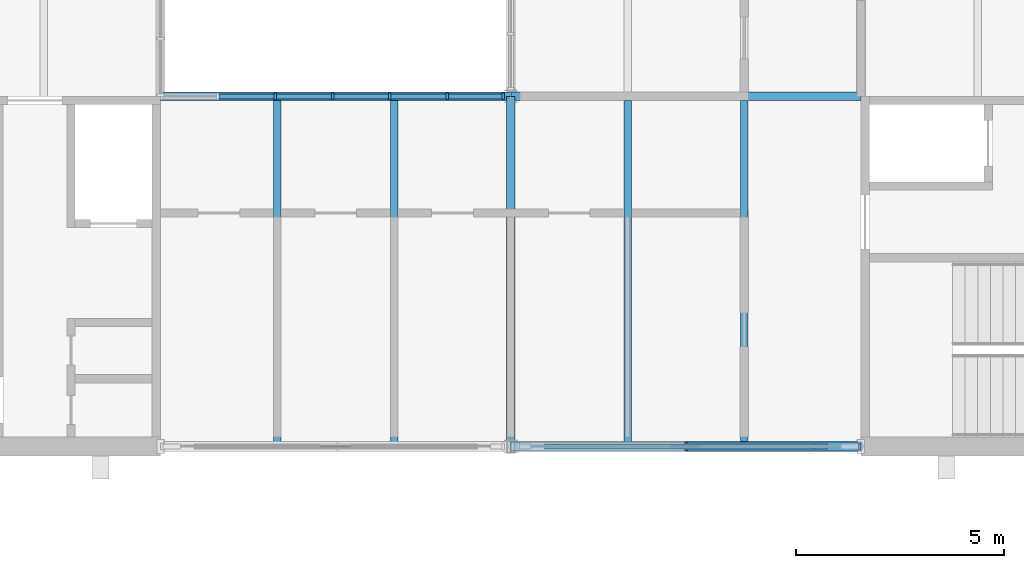
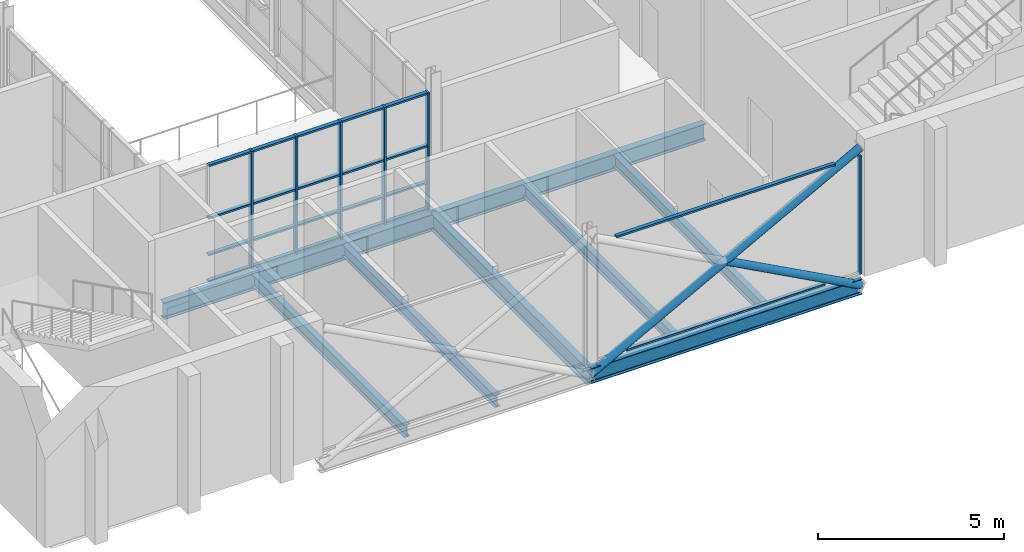
# One storey, part 29 of 129: 30 members, 8 beams, 2 elements without a shape of their own.
"""IFC4 building model written with IfcOpenShell, lengths in metres."""

from ifc_helpers import new_model, si_unit, direction, frame, origin, origin_2d, place, context, subcontext, project, spatial, rectangle, hollow_circle, i_section, extrude, material, layer, layer_set, material_profile, profile_set, type_object, element, aggregate, save


model = new_model("IFC4")

# Units and contexts
model_context = context("Model", 3, precision=1e-05, world=origin(), true_north=direction((0.0, 1.0)))
body_context = subcontext(model_context, "Body", "Model", "MODEL_VIEW")
ifc_project = project(units=[si_unit("LENGTHUNIT", "METRE"), si_unit("AREAUNIT", "SQUARE_METRE"), si_unit("VOLUMEUNIT", "CUBIC_METRE"), si_unit("PLANEANGLEUNIT", "RADIAN"), si_unit("MASSUNIT", "GRAM", prefix="KILO")], contexts=[model_context])

# Site, building, storey
site_placement = place(None, origin())
site = spatial("IfcSite", under=ifc_project, at=site_placement, CompositionType="ELEMENT")
building_placement = place(site_placement, origin())
building = spatial("IfcBuilding", under=site, at=building_placement, Name="Ardhachandra Cancer Care Centre", CompositionType="ELEMENT")
storey_placement = place(building_placement, frame((0.0, 0.0, 4.5)))
storey = spatial("IfcBuildingStorey", under=building, at=storey_placement, Name="L01", CompositionType="ELEMENT", Elevation=4.5)

# Beams
ifc_material_1 = material(Name="Steel E350 (IS 2062)", Category="steel")
ifc_material_profile_1 = material_profile(ifc_material_1, i_section(OverallWidth=0.179931640625, OverallDepth=0.39990234375, WebThickness=0.008544921875, FlangeThickness=0.013427734375, FilletRadius=0.02099609375, at=origin_2d()), Name="NPB 400x180x66.30")
ifc_profile_set_1 = profile_set([ifc_material_profile_1], Name="Steel E350 (IS 2062)")
beam_type_1 = type_object("IfcBeamType", Name="Beam NPB 400x180x66.30", PredefinedType="BEAM", material=ifc_profile_set_1)
for number, where, z_axis, x_axis, name in (
    (1, (122.800048828125, 29.5, -0.35009765625), (0.0, 1.0, 0.0), (-1.0, 0.0, 0.0), "Secondary C14-D14@2800"),
    (2, (125.60009765625, 29.5, -0.35009765625), (0.0, 1.0, 0.0), (-1.0, 0.0, 0.0), "Secondary C14-D14@5600"),
    (3, (131.199951171875, 29.5, -0.35009765625), (0.0, 1.0, 0.0), (-1.0, 0.0, 0.0), "Secondary C15-D15@2800"),
    (4, (134.0, 29.5, -0.35009765625), (0.0, 1.0, 0.0), (-1.0, 0.0, 0.0), "Secondary C15-D15@5600"),
):
    element("IfcBeam", number, at=place(storey_placement, frame(where, z_axis=z_axis, x_axis=x_axis)), inside=storey, type_object=beam_type_1, Name=name, PredefinedType="BEAM", context=body_context, shape_type="SweptSolid", body=[
        extrude(i_section(OverallWidth=0.179931640625, OverallDepth=0.39990234375, WebThickness=0.008544921875, FlangeThickness=0.013427734375, FilletRadius=0.02099609375, at=origin_2d()), origin(), (0.0, 0.0, 1.0), 8.195068359375),
    ])
ifc_material_2 = material(Name="Steel E350 (IS 2062)", Category="steel")
ifc_material_profile_2 = material_profile(ifc_material_2, i_section(OverallWidth=0.199951171875, OverallDepth=0.5, WebThickness=0.01025390625, FlangeThickness=0.01611328125, FilletRadius=0.02099609375, at=origin_2d()), Name="NPB 500x200x90.68")
ifc_profile_set_2 = profile_set([ifc_material_profile_2], Name="Steel E350 (IS 2062)")
beam_type_2 = type_object("IfcBeamType", Name="Beam NPB 500x200x90.68", PredefinedType="BEAM", material=ifc_profile_set_2)
beam_1_placement = place(storey_placement, frame((128.39990234375, 29.39990234375, -0.39990234375), z_axis=(1.0, 0.0, 0.0), x_axis=(0.0, 1.0, 0.0)))
element("IfcBeam", 5, at=beam_1_placement, inside=storey, type_object=beam_type_2, Name="Edge girder C15-C16", PredefinedType="BEAM", context=body_context, shape_type="SweptSolid", body=[
    extrude(i_section(OverallWidth=0.199951171875, OverallDepth=0.5, WebThickness=0.01025390625, FlangeThickness=0.01611328125, FilletRadius=0.02099609375, at=origin_2d()), origin(), (0.0, 0.0, 1.0), 8.400146484375),
])
ifc_material_3 = material(Name="Steel E350 (IS 2062)", Category="steel")
ifc_material_profile_3 = material_profile(ifc_material_3, i_section(OverallWidth=0.2099609375, OverallDepth=0.550048828125, WebThickness=0.010986328125, FlangeThickness=0.01708984375, FilletRadius=0.02392578125, at=origin_2d()), Name="NPB 550x210x105.52")
ifc_profile_set_3 = profile_set([ifc_material_profile_3], Name="Steel E350 (IS 2062)")
beam_type_3 = type_object("IfcBeamType", Name="Beam NPB 550x210x105.52", PredefinedType="BEAM", material=ifc_profile_set_3)
beam_2_placement = place(storey_placement, frame((120.0, 37.800048828125, -0.425048828125), z_axis=(1.0, 0.0, 0.0), x_axis=(0.0, 1.0, 0.0)))
element("IfcBeam", 6, at=beam_2_placement, inside=storey, type_object=beam_type_3, Name="Girder D14-D15", PredefinedType="BEAM", context=body_context, shape_type="SweptSolid", body=[
    extrude(i_section(OverallWidth=0.2099609375, OverallDepth=0.550048828125, WebThickness=0.010986328125, FlangeThickness=0.01708984375, FilletRadius=0.02392578125, at=origin_2d()), origin(), (0.0, 0.0, 1.0), 8.39990234375),
])
for number, where, z_axis, x_axis, name in (
    (7, (128.39990234375, 37.800048828125, -0.425048828125), (1.0, 0.0, 0.0), (0.0, 1.0, 0.0), "Girder D15-D16"),
    (8, (128.39990234375, 29.39990234375, -0.425048828125), (0.0, 1.0, 0.0), (-1.0, 0.0, 0.0), "Girder C15-D15"),
):
    element("IfcBeam", number, at=place(storey_placement, frame(where, z_axis=z_axis, x_axis=x_axis)), inside=storey, type_object=beam_type_3, Name=name, PredefinedType="BEAM", context=body_context, shape_type="SweptSolid", body=[
        extrude(i_section(OverallWidth=0.2099609375, OverallDepth=0.550048828125, WebThickness=0.010986328125, FlangeThickness=0.01708984375, FilletRadius=0.02392578125, at=origin_2d()), origin(), (0.0, 0.0, 1.0), 8.400146484375),
    ])

# Members
ifc_material_4 = material(Name="Steel E350 (IS 2062)", Category="steel")
ifc_material_profile_4 = material_profile(ifc_material_4, hollow_circle(Radius=0.122314453125, WallThickness=0.010009765625, at=origin_2d()), Name="CHS 244.5x10.0")
ifc_profile_set_4 = profile_set([ifc_material_profile_4], Name="Steel E350 (IS 2062)")
member_type_1 = type_object("IfcMemberType", Name="Brace CHS 244.5x10.0", PredefinedType="BRACE", material=ifc_profile_set_4)
member_1_placement = place(storey_placement, frame((128.39990234375, 29.39990234375, -0.39990234375), z_axis=(0.880704415994, 0.0, 0.473666266108), x_axis=(0.0, 1.0, 0.0)))
element("IfcMember", 9, at=member_1_placement, inside=storey, type_object=member_type_1, Name="Brace V4-X294-1284 L01 A", PredefinedType="BRACE", context=body_context, shape_type="SweptSolid", body=[
    extrude(hollow_circle(Radius=0.122314453125, WallThickness=0.010009765625, at=origin_2d()), origin(), (0.0, 0.0, 1.0), 9.5380859375),
])
member_2_placement = place(storey_placement, frame((136.800048828125, 29.39990234375, -0.39990234375), z_axis=(-0.88070935116, 0.0, 0.473657089864), x_axis=(0.0, -1.0, 0.0)))
element("IfcMember", 10, at=member_2_placement, inside=storey, type_object=member_type_1, Name="Brace V4-X294-1284 L01 B1", PredefinedType="BRACE", context=body_context, shape_type="SweptSolid", body=[
    extrude(hollow_circle(Radius=0.122314453125, WallThickness=0.010009765625, at=origin_2d()), origin(), (0.0, 0.0, 1.0), 4.768798828125),
])

# Curtain wall, members
ifc_material_5 = material(Name="Aluminium extrusion", Category="aluminium")
ifc_layer = layer(ifc_material_5, 0.14990234375)
ifc_layer_set = layer_set([ifc_layer], Name="Aluminium extrusion")
curtain_wall_type = type_object("IfcCurtainWallType", Name="Curtain wall run", PredefinedType="NOTDEFINED", material=ifc_layer_set)
curtain_wall_1_placement = place(storey_placement, origin())
curtain_wall_1 = element("IfcCurtainWall", 11, at=curtain_wall_1_placement, inside=storey, type_object=curtain_wall_type, Name="Curtain wall L01 n/0120000_0037800", PredefinedType="NOTDEFINED")
ifc_material_6 = material(Name="Aluminium extrusion", Category="aluminium")
ifc_material_profile_5 = material_profile(ifc_material_6, rectangle(XDim=0.159912109375, YDim=0.06005859375, at=origin_2d()), Name="Curtain wall mullion 60 x 160")
ifc_profile_set_5 = profile_set([ifc_material_profile_5], Name="Aluminium extrusion")
member_type_2 = type_object("IfcMemberType", Name="Curtain wall mullion 60 x 160", PredefinedType="MULLION", material=ifc_profile_set_5)
member_3_placement = place(storey_placement, frame((122.75, 37.800048828125, 0.0), z_axis=(0.0, 0.0, 1.0), x_axis=(0.0, 1.0, 0.0)))
member_3 = element("IfcMember", 12, at=member_3_placement, type_object=member_type_2, Name="CW mullion 3", PredefinedType="MULLION", context=body_context, shape_type="SweptSolid", body=[
    extrude(rectangle(XDim=0.159912109375, YDim=0.06005859375, at=origin_2d()), origin(), (0.0, 0.0, 1.0), 3.85009765625),
])
member_4_placement = place(storey_placement, frame((124.125, 37.800048828125, 0.0), z_axis=(0.0, 0.0, 1.0), x_axis=(0.0, 1.0, 0.0)))
member_4 = element("IfcMember", 13, at=member_4_placement, type_object=member_type_2, Name="CW mullion 4", PredefinedType="MULLION", context=body_context, shape_type="SweptSolid", body=[
    extrude(rectangle(XDim=0.159912109375, YDim=0.06005859375, at=origin_2d()), origin(), (0.0, 0.0, 1.0), 3.85009765625),
])
member_5_placement = place(storey_placement, frame((125.5, 37.800048828125, 0.0), z_axis=(0.0, 0.0, 1.0), x_axis=(0.0, 1.0, 0.0)))
member_5 = element("IfcMember", 14, at=member_5_placement, type_object=member_type_2, Name="CW mullion 5", PredefinedType="MULLION", context=body_context, shape_type="SweptSolid", body=[
    extrude(rectangle(XDim=0.159912109375, YDim=0.06005859375, at=origin_2d()), origin(), (0.0, 0.0, 1.0), 3.85009765625),
])
member_6_placement = place(storey_placement, frame((126.875, 37.800048828125, 0.0), z_axis=(0.0, 0.0, 1.0), x_axis=(0.0, 1.0, 0.0)))
member_6 = element("IfcMember", 15, at=member_6_placement, type_object=member_type_2, Name="CW mullion 6", PredefinedType="MULLION", context=body_context, shape_type="SweptSolid", body=[
    extrude(rectangle(XDim=0.159912109375, YDim=0.06005859375, at=origin_2d()), origin(), (0.0, 0.0, 1.0), 3.85009765625),
])
member_7_placement = place(storey_placement, frame((128.219970703125, 37.800048828125, 0.0), z_axis=(0.0, 0.0, 1.0), x_axis=(0.0, 1.0, 0.0)))
member_7 = element("IfcMember", 16, at=member_7_placement, type_object=member_type_2, Name="CW mullion 7", PredefinedType="MULLION", context=body_context, shape_type="SweptSolid", body=[
    extrude(rectangle(XDim=0.159912109375, YDim=0.06005859375, at=origin_2d()), origin(), (0.0, 0.0, 1.0), 3.85009765625),
])

# Curtain wall, member
curtain_wall_2_placement = place(storey_placement, origin())
curtain_wall_2 = element("IfcCurtainWall", 17, at=curtain_wall_2_placement, inside=storey, type_object=curtain_wall_type, Name="Curtain wall L01 s/0128400_0029400", PredefinedType="NOTDEFINED")
member_8_placement = place(storey_placement, frame((136.77001953125, 29.39990234375, 0.0), z_axis=(0.0, 0.0, 1.0), x_axis=(0.0, 1.0, 0.0)))
member_8 = element("IfcMember", 18, at=member_8_placement, type_object=member_type_2, Name="CW mullion 2", PredefinedType="MULLION", context=body_context, shape_type="SweptSolid", body=[
    extrude(rectangle(XDim=0.159912109375, YDim=0.06005859375, at=origin_2d()), origin(), (0.0, 0.0, 1.0), 3.885986328125),
])

# Member
ifc_material_7 = material(Name="Aluminium extrusion", Category="aluminium")
ifc_material_profile_6 = material_profile(ifc_material_7, rectangle(XDim=0.1201171875, YDim=0.06005859375, at=origin_2d()), Name="Curtain wall transom 60 x 120")
ifc_profile_set_6 = profile_set([ifc_material_profile_6], Name="Aluminium extrusion")
member_type_3 = type_object("IfcMemberType", Name="Curtain wall transom 60 x 120", PredefinedType="USERDEFINED", material=ifc_profile_set_6)
member_9_placement = place(storey_placement, frame((121.405029296875, 37.800048828125, 0.030029296875), z_axis=(1.0, 0.0, 0.0), x_axis=(0.0, 1.0, 0.0)))
member_9 = element("IfcMember", 19, at=member_9_placement, type_object=member_type_3, Name="CW transom 2.1", ObjectType="TRANSOM", PredefinedType="USERDEFINED", context=body_context, shape_type="SweptSolid", body=[
    extrude(rectangle(XDim=0.1201171875, YDim=0.06005859375, at=origin_2d()), origin(), (0.0, 0.0, 1.0), 1.31494140625),
])

member_10_placement = place(storey_placement, frame((121.405029296875, 37.800048828125, 0.89990234375), z_axis=(1.0, 0.0, 0.0), x_axis=(0.0, 1.0, 0.0)))
member_10 = element("IfcMember", 20, at=member_10_placement, type_object=member_type_3, Name="CW transom 2.2", ObjectType="TRANSOM", PredefinedType="USERDEFINED", context=body_context, shape_type="SweptSolid", body=[
    extrude(rectangle(XDim=0.1201171875, YDim=0.06005859375, at=origin_2d()), origin(), (0.0, 0.0, 1.0), 1.31494140625),
])

member_11_placement = place(storey_placement, frame((121.405029296875, 37.800048828125, 2.10009765625), z_axis=(1.0, 0.0, 0.0), x_axis=(0.0, 1.0, 0.0)))
member_11 = element("IfcMember", 21, at=member_11_placement, type_object=member_type_3, Name="CW transom 2.3", ObjectType="TRANSOM", PredefinedType="USERDEFINED", context=body_context, shape_type="SweptSolid", body=[
    extrude(rectangle(XDim=0.1201171875, YDim=0.06005859375, at=origin_2d()), origin(), (0.0, 0.0, 1.0), 1.31494140625),
])

member_12_placement = place(storey_placement, frame((121.405029296875, 37.800048828125, 3.820068359375), z_axis=(1.0, 0.0, 0.0), x_axis=(0.0, 1.0, 0.0)))
member_12 = element("IfcMember", 22, at=member_12_placement, type_object=member_type_3, Name="CW transom 2.4", ObjectType="TRANSOM", PredefinedType="USERDEFINED", context=body_context, shape_type="SweptSolid", body=[
    extrude(rectangle(XDim=0.1201171875, YDim=0.06005859375, at=origin_2d()), origin(), (0.0, 0.0, 1.0), 1.31494140625),
])

member_13_placement = place(storey_placement, frame((122.780029296875, 37.800048828125, 0.030029296875), z_axis=(1.0, 0.0, 0.0), x_axis=(0.0, 1.0, 0.0)))
member_13 = element("IfcMember", 23, at=member_13_placement, type_object=member_type_3, Name="CW transom 3.1", ObjectType="TRANSOM", PredefinedType="USERDEFINED", context=body_context, shape_type="SweptSolid", body=[
    extrude(rectangle(XDim=0.1201171875, YDim=0.06005859375, at=origin_2d()), origin(), (0.0, 0.0, 1.0), 1.31494140625),
])

member_14_placement = place(storey_placement, frame((122.780029296875, 37.800048828125, 0.89990234375), z_axis=(1.0, 0.0, 0.0), x_axis=(0.0, 1.0, 0.0)))
member_14 = element("IfcMember", 24, at=member_14_placement, type_object=member_type_3, Name="CW transom 3.2", ObjectType="TRANSOM", PredefinedType="USERDEFINED", context=body_context, shape_type="SweptSolid", body=[
    extrude(rectangle(XDim=0.1201171875, YDim=0.06005859375, at=origin_2d()), origin(), (0.0, 0.0, 1.0), 1.31494140625),
])

member_15_placement = place(storey_placement, frame((122.780029296875, 37.800048828125, 2.10009765625), z_axis=(1.0, 0.0, 0.0), x_axis=(0.0, 1.0, 0.0)))
member_15 = element("IfcMember", 25, at=member_15_placement, type_object=member_type_3, Name="CW transom 3.3", ObjectType="TRANSOM", PredefinedType="USERDEFINED", context=body_context, shape_type="SweptSolid", body=[
    extrude(rectangle(XDim=0.1201171875, YDim=0.06005859375, at=origin_2d()), origin(), (0.0, 0.0, 1.0), 1.31494140625),
])

member_16_placement = place(storey_placement, frame((122.780029296875, 37.800048828125, 3.820068359375), z_axis=(1.0, 0.0, 0.0), x_axis=(0.0, 1.0, 0.0)))
member_16 = element("IfcMember", 26, at=member_16_placement, type_object=member_type_3, Name="CW transom 3.4", ObjectType="TRANSOM", PredefinedType="USERDEFINED", context=body_context, shape_type="SweptSolid", body=[
    extrude(rectangle(XDim=0.1201171875, YDim=0.06005859375, at=origin_2d()), origin(), (0.0, 0.0, 1.0), 1.31494140625),
])

member_17_placement = place(storey_placement, frame((124.155029296875, 37.800048828125, 0.030029296875), z_axis=(1.0, 0.0, 0.0), x_axis=(0.0, 1.0, 0.0)))
member_17 = element("IfcMember", 27, at=member_17_placement, type_object=member_type_3, Name="CW transom 4.1", ObjectType="TRANSOM", PredefinedType="USERDEFINED", context=body_context, shape_type="SweptSolid", body=[
    extrude(rectangle(XDim=0.1201171875, YDim=0.06005859375, at=origin_2d()), origin(), (0.0, 0.0, 1.0), 1.31494140625),
])

member_18_placement = place(storey_placement, frame((124.155029296875, 37.800048828125, 0.89990234375), z_axis=(1.0, 0.0, 0.0), x_axis=(0.0, 1.0, 0.0)))
member_18 = element("IfcMember", 28, at=member_18_placement, type_object=member_type_3, Name="CW transom 4.2", ObjectType="TRANSOM", PredefinedType="USERDEFINED", context=body_context, shape_type="SweptSolid", body=[
    extrude(rectangle(XDim=0.1201171875, YDim=0.06005859375, at=origin_2d()), origin(), (0.0, 0.0, 1.0), 1.31494140625),
])

member_19_placement = place(storey_placement, frame((124.155029296875, 37.800048828125, 2.10009765625), z_axis=(1.0, 0.0, 0.0), x_axis=(0.0, 1.0, 0.0)))
member_19 = element("IfcMember", 29, at=member_19_placement, type_object=member_type_3, Name="CW transom 4.3", ObjectType="TRANSOM", PredefinedType="USERDEFINED", context=body_context, shape_type="SweptSolid", body=[
    extrude(rectangle(XDim=0.1201171875, YDim=0.06005859375, at=origin_2d()), origin(), (0.0, 0.0, 1.0), 1.31494140625),
])

member_20_placement = place(storey_placement, frame((124.155029296875, 37.800048828125, 3.820068359375), z_axis=(1.0, 0.0, 0.0), x_axis=(0.0, 1.0, 0.0)))
member_20 = element("IfcMember", 30, at=member_20_placement, type_object=member_type_3, Name="CW transom 4.4", ObjectType="TRANSOM", PredefinedType="USERDEFINED", context=body_context, shape_type="SweptSolid", body=[
    extrude(rectangle(XDim=0.1201171875, YDim=0.06005859375, at=origin_2d()), origin(), (0.0, 0.0, 1.0), 1.31494140625),
])

member_21_placement = place(storey_placement, frame((125.530029296875, 37.800048828125, 0.030029296875), z_axis=(1.0, 0.0, 0.0), x_axis=(0.0, 1.0, 0.0)))
member_21 = element("IfcMember", 31, at=member_21_placement, type_object=member_type_3, Name="CW transom 5.1", ObjectType="TRANSOM", PredefinedType="USERDEFINED", context=body_context, shape_type="SweptSolid", body=[
    extrude(rectangle(XDim=0.1201171875, YDim=0.06005859375, at=origin_2d()), origin(), (0.0, 0.0, 1.0), 1.31494140625),
])

member_22_placement = place(storey_placement, frame((125.530029296875, 37.800048828125, 0.89990234375), z_axis=(1.0, 0.0, 0.0), x_axis=(0.0, 1.0, 0.0)))
member_22 = element("IfcMember", 32, at=member_22_placement, type_object=member_type_3, Name="CW transom 5.2", ObjectType="TRANSOM", PredefinedType="USERDEFINED", context=body_context, shape_type="SweptSolid", body=[
    extrude(rectangle(XDim=0.1201171875, YDim=0.06005859375, at=origin_2d()), origin(), (0.0, 0.0, 1.0), 1.31494140625),
])

member_23_placement = place(storey_placement, frame((125.530029296875, 37.800048828125, 2.10009765625), z_axis=(1.0, 0.0, 0.0), x_axis=(0.0, 1.0, 0.0)))
member_23 = element("IfcMember", 33, at=member_23_placement, type_object=member_type_3, Name="CW transom 5.3", ObjectType="TRANSOM", PredefinedType="USERDEFINED", context=body_context, shape_type="SweptSolid", body=[
    extrude(rectangle(XDim=0.1201171875, YDim=0.06005859375, at=origin_2d()), origin(), (0.0, 0.0, 1.0), 1.31494140625),
])

member_24_placement = place(storey_placement, frame((125.530029296875, 37.800048828125, 3.820068359375), z_axis=(1.0, 0.0, 0.0), x_axis=(0.0, 1.0, 0.0)))
member_24 = element("IfcMember", 34, at=member_24_placement, type_object=member_type_3, Name="CW transom 5.4", ObjectType="TRANSOM", PredefinedType="USERDEFINED", context=body_context, shape_type="SweptSolid", body=[
    extrude(rectangle(XDim=0.1201171875, YDim=0.06005859375, at=origin_2d()), origin(), (0.0, 0.0, 1.0), 1.31494140625),
])

member_25_placement = place(storey_placement, frame((126.905029296875, 37.800048828125, 0.030029296875), z_axis=(1.0, 0.0, 0.0), x_axis=(0.0, 1.0, 0.0)))
member_25 = element("IfcMember", 35, at=member_25_placement, type_object=member_type_3, Name="CW transom 6.1", ObjectType="TRANSOM", PredefinedType="USERDEFINED", context=body_context, shape_type="SweptSolid", body=[
    extrude(rectangle(XDim=0.1201171875, YDim=0.06005859375, at=origin_2d()), origin(), (0.0, 0.0, 1.0), 1.284912109375),
])

member_26_placement = place(storey_placement, frame((126.905029296875, 37.800048828125, 0.89990234375), z_axis=(1.0, 0.0, 0.0), x_axis=(0.0, 1.0, 0.0)))
member_26 = element("IfcMember", 36, at=member_26_placement, type_object=member_type_3, Name="CW transom 6.2", ObjectType="TRANSOM", PredefinedType="USERDEFINED", context=body_context, shape_type="SweptSolid", body=[
    extrude(rectangle(XDim=0.1201171875, YDim=0.06005859375, at=origin_2d()), origin(), (0.0, 0.0, 1.0), 1.284912109375),
])

member_27_placement = place(storey_placement, frame((126.905029296875, 37.800048828125, 2.10009765625), z_axis=(1.0, 0.0, 0.0), x_axis=(0.0, 1.0, 0.0)))
member_27 = element("IfcMember", 37, at=member_27_placement, type_object=member_type_3, Name="CW transom 6.3", ObjectType="TRANSOM", PredefinedType="USERDEFINED", context=body_context, shape_type="SweptSolid", body=[
    extrude(rectangle(XDim=0.1201171875, YDim=0.06005859375, at=origin_2d()), origin(), (0.0, 0.0, 1.0), 1.284912109375),
])

member_28_placement = place(storey_placement, frame((126.905029296875, 37.800048828125, 3.820068359375), z_axis=(1.0, 0.0, 0.0), x_axis=(0.0, 1.0, 0.0)))
member_28 = element("IfcMember", 38, at=member_28_placement, type_object=member_type_3, Name="CW transom 6.4", ObjectType="TRANSOM", PredefinedType="USERDEFINED", context=body_context, shape_type="SweptSolid", body=[
    extrude(rectangle(XDim=0.1201171875, YDim=0.06005859375, at=origin_2d()), origin(), (0.0, 0.0, 1.0), 1.284912109375),
])

aggregate(curtain_wall_1, [member_3, member_4, member_5, member_6, member_7, member_9, member_10, member_11, member_12, member_13, member_14, member_15, member_16, member_17, member_18, member_19, member_20, member_21, member_22, member_23, member_24, member_25, member_26, member_27, member_28])

member_29_placement = place(storey_placement, frame((129.515869140625, 29.39990234375, 0.030029296875), z_axis=(1.0, 0.0, 0.0), x_axis=(0.0, 1.0, 0.0)))
member_29 = element("IfcMember", 39, at=member_29_placement, type_object=member_type_3, Name="CW transom 1.1", ObjectType="TRANSOM", PredefinedType="USERDEFINED", context=body_context, shape_type="SweptSolid", body=[
    extrude(rectangle(XDim=0.1201171875, YDim=0.06005859375, at=origin_2d()), origin(), (0.0, 0.0, 1.0), 6.168212890625),
])

member_30_placement = place(storey_placement, frame((129.20361328125, 29.39990234375, 3.85595703125), z_axis=(1.0, 0.0, 0.0), x_axis=(0.0, 1.0, 0.0)))
member_30 = element("IfcMember", 40, at=member_30_placement, type_object=member_type_3, Name="CW transom 1.2", ObjectType="TRANSOM", PredefinedType="USERDEFINED", context=body_context, shape_type="SweptSolid", body=[
    extrude(rectangle(XDim=0.1201171875, YDim=0.06005859375, at=origin_2d()), origin(), (0.0, 0.0, 1.0), 6.79296875),
])

aggregate(curtain_wall_2, [member_8, member_29, member_30])

save(model, "model.ifc")
